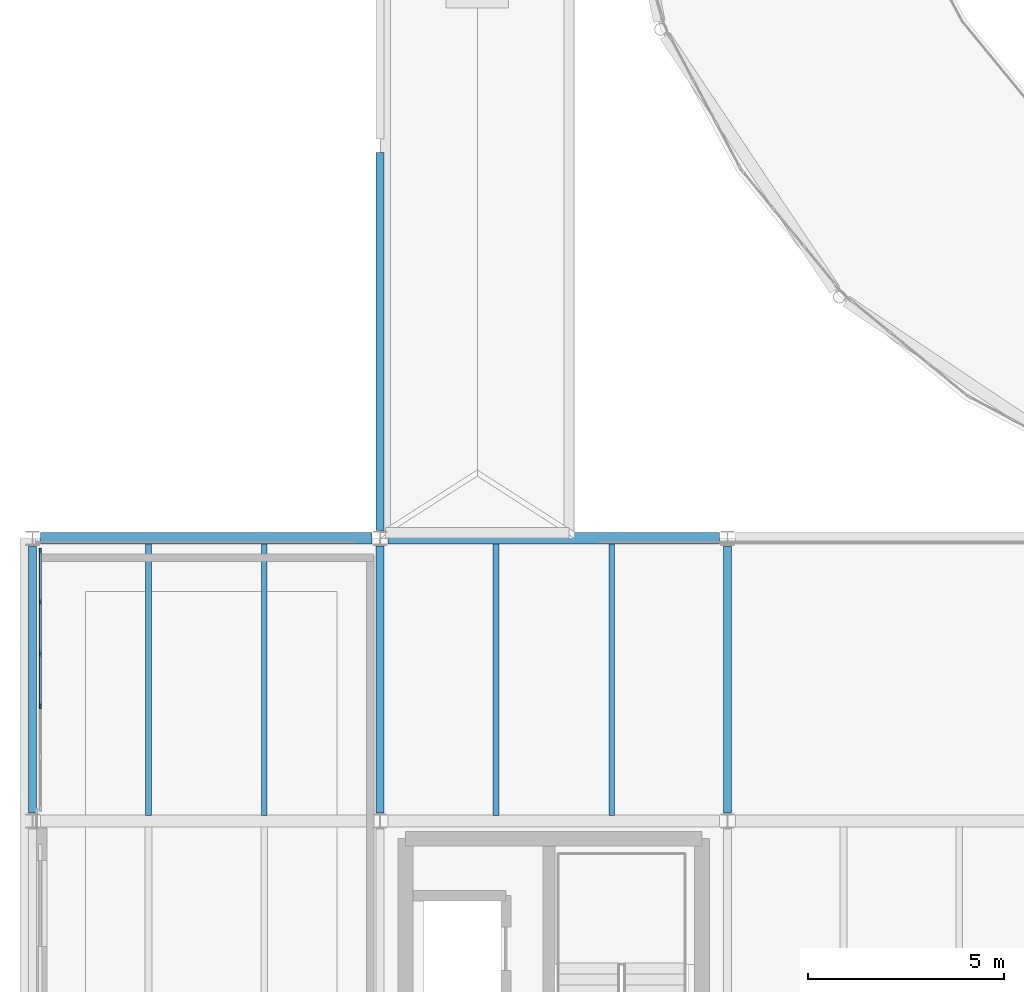
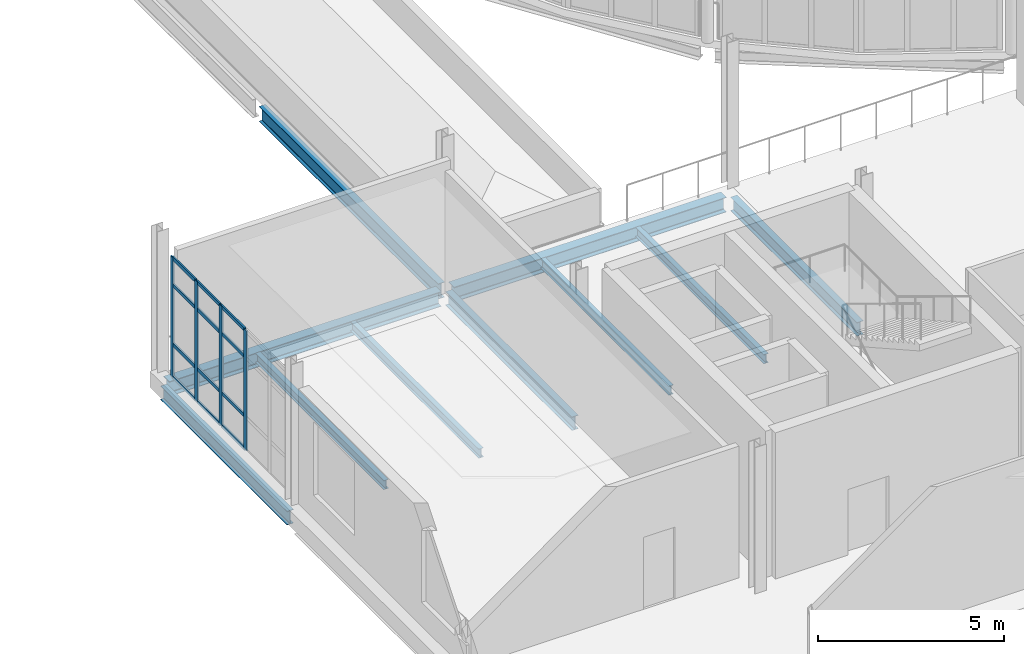
# One storey, part 24 of 112: 16 members, 10 beams, 1 element without a shape of its own.
"""IFC4 building model written with IfcOpenShell, lengths in metres."""

from ifc_helpers import new_model, si_unit, direction, frame, origin, origin_2d, place, context, subcontext, project, spatial, rectangle, i_section, extrude, material, layer, layer_set, material_profile, profile_set, type_object, element, aggregate, save


model = new_model("IFC4")

# Units and contexts
model_context = context("Model", 3, precision=1e-05, world=origin(), true_north=direction((0.0, 1.0)))
body_context = subcontext(model_context, "Body", "Model", "MODEL_VIEW")
ifc_project = project(units=[si_unit("LENGTHUNIT", "METRE"), si_unit("AREAUNIT", "SQUARE_METRE"), si_unit("VOLUMEUNIT", "CUBIC_METRE"), si_unit("PLANEANGLEUNIT", "RADIAN"), si_unit("MASSUNIT", "GRAM", prefix="KILO")], contexts=[model_context])

# Site, building, storey
site_placement = place(None, origin())
site = spatial("IfcSite", under=ifc_project, at=site_placement, CompositionType="ELEMENT")
building_placement = place(site_placement, origin())
building = spatial("IfcBuilding", under=site, at=building_placement, Name="Yeouljin Market Hall", CompositionType="ELEMENT")
storey_placement = place(building_placement, frame((0.0, 0.0, 6.0)))
storey = spatial("IfcBuildingStorey", under=building, at=storey_placement, Name="L01", CompositionType="ELEMENT", Elevation=6.0)

# Beams
ifc_material_1 = material(Name="Steel SM355", Category="steel")
ifc_material_profile_1 = material_profile(ifc_material_1, i_section(OverallWidth=0.199951171875, OverallDepth=0.449951171875, WebThickness=0.009033203125, FlangeThickness=0.013916015625, FilletRadius=0.01806640625, at=origin_2d()), Name="H-450x200x9x14")
ifc_profile_set_1 = profile_set([ifc_material_profile_1], Name="Steel SM355")
beam_type_1 = type_object("IfcBeamType", Name="Beam_H-450x200x9x14", PredefinedType="BEAM", material=ifc_profile_set_1)
for number, where, z_axis, x_axis, name in (
    (1, (0.0, 29.0, -0.489990234375), (0.0, 1.0, 0.0), (-1.0, 0.0, 0.0), "Primary beam BM-L01-Y127"),
    (2, (8.85009765625, 29.0, -0.489990234375), (0.0, 1.0, 0.0), (-1.0, 0.0, 0.0), "Primary beam BM-L01-Y131"),
    (3, (17.699951171875, 29.0, -0.489990234375), (0.0, 1.0, 0.0), (-1.0, 0.0, 0.0), "Primary beam BM-L01-Y139"),
):
    element("IfcBeam", number, at=place(storey_placement, frame(where, z_axis=z_axis, x_axis=x_axis)), inside=storey, type_object=beam_type_1, Name=name, PredefinedType="BEAM", context=body_context, shape_type="SweptSolid", body=[
        extrude(i_section(OverallWidth=0.199951171875, OverallDepth=0.449951171875, WebThickness=0.009033203125, FlangeThickness=0.013916015625, FilletRadius=0.01806640625, at=origin_2d()), origin(), (0.0, 0.0, 1.0), 6.800048828125),
    ])
ifc_material_2 = material(Name="Steel SM355", Category="steel")
ifc_material_profile_2 = material_profile(ifc_material_2, i_section(OverallWidth=0.199951171875, OverallDepth=0.5, WebThickness=0.010009765625, FlangeThickness=0.01611328125, FilletRadius=0.02001953125, at=origin_2d()), Name="H-500x200x10x16")
ifc_profile_set_2 = profile_set([ifc_material_profile_2], Name="Steel SM355")
beam_type_2 = type_object("IfcBeamType", Name="Beam_H-500x200x10x16", PredefinedType="BEAM", material=ifc_profile_set_2)
beam_placement = place(storey_placement, frame((8.85009765625, 36.199951171875, -0.514892578125), z_axis=(0.0, 1.0, 0.0), x_axis=(-1.0, 0.0, 0.0)))
element("IfcBeam", 4, at=beam_placement, inside=storey, type_object=beam_type_2, Name="Primary beam BM-L01-Y132", PredefinedType="BEAM", context=body_context, shape_type="SweptSolid", body=[
    extrude(i_section(OverallWidth=0.199951171875, OverallDepth=0.5, WebThickness=0.010009765625, FlangeThickness=0.01611328125, FilletRadius=0.02001953125, at=origin_2d()), origin(), (0.0, 0.0, 1.0), 9.625),
])

# Curtain wall, members
ifc_material_3 = material(Name="Thermally Broken Aluminium", Category="aluminium")
ifc_layer = layer(ifc_material_3, 0.14990234375)
ifc_layer_set = layer_set([ifc_layer], Name="Thermally Broken Aluminium")
curtain_wall_type = type_object("IfcCurtainWallType", Name="CW_AcademyRibbon_System", PredefinedType="USERDEFINED", material=ifc_layer_set)
curtain_wall_placement = place(storey_placement, origin())
curtain_wall = element("IfcCurtainWall", 5, at=curtain_wall_placement, inside=storey, type_object=curtain_wall_type, Name="Curtain wall CW-L01-W08", ObjectType="CURTAIN WALL", PredefinedType="USERDEFINED")
ifc_material_4 = material(Name="Thermally Broken Aluminium", Category="aluminium")
ifc_material_profile_3 = material_profile(ifc_material_4, rectangle(XDim=0.048095703125, YDim=0.14990234375, at=origin_2d()), Name="CW-MULL-48x150")
ifc_profile_set_3 = profile_set([ifc_material_profile_3], Name="Thermally Broken Aluminium")
member_type_1 = type_object("IfcMemberType", Name="CWMullion_48x150", PredefinedType="MULLION", material=ifc_profile_set_3)
member_1_placement = place(storey_placement, frame((0.199951171875, 31.739990234375, 0.0), z_axis=(0.0, 0.0, 1.0), x_axis=(-1.0, 0.0, 0.0)))
member_1 = element("IfcMember", 6, at=member_1_placement, type_object=member_type_1, Name="CW-05 mullion 3", PredefinedType="MULLION", context=body_context, shape_type="SweptSolid", body=[
    extrude(rectangle(XDim=0.048095703125, YDim=0.14990234375, at=origin_2d()), origin(), (0.0, 0.0, 1.0), 3.949951171875),
])
member_2_placement = place(storey_placement, frame((0.199951171875, 33.06005859375, 0.0), z_axis=(0.0, 0.0, 1.0), x_axis=(-1.0, 0.0, 0.0)))
member_2 = element("IfcMember", 7, at=member_2_placement, type_object=member_type_1, Name="CW-05 mullion 4", PredefinedType="MULLION", context=body_context, shape_type="SweptSolid", body=[
    extrude(rectangle(XDim=0.048095703125, YDim=0.14990234375, at=origin_2d()), origin(), (0.0, 0.0, 1.0), 3.949951171875),
])
member_3_placement = place(storey_placement, frame((0.199951171875, 34.3798828125, 0.0), z_axis=(0.0, 0.0, 1.0), x_axis=(-1.0, 0.0, 0.0)))
member_3 = element("IfcMember", 8, at=member_3_placement, type_object=member_type_1, Name="CW-05 mullion 5", PredefinedType="MULLION", context=body_context, shape_type="SweptSolid", body=[
    extrude(rectangle(XDim=0.048095703125, YDim=0.14990234375, at=origin_2d()), origin(), (0.0, 0.0, 1.0), 3.949951171875),
])
member_4_placement = place(storey_placement, frame((0.199951171875, 35.676025390625, 0.0), z_axis=(0.0, 0.0, 1.0), x_axis=(-1.0, 0.0, 0.0)))
member_4 = element("IfcMember", 9, at=member_4_placement, type_object=member_type_1, Name="CW-05 mullion 6", PredefinedType="MULLION", context=body_context, shape_type="SweptSolid", body=[
    extrude(rectangle(XDim=0.048095703125, YDim=0.14990234375, at=origin_2d()), origin(), (0.0, 0.0, 1.0), 3.949951171875),
])
ifc_material_5 = material(Name="Thermally Broken Aluminium", Category="aluminium")
ifc_material_profile_4 = material_profile(ifc_material_5, rectangle(XDim=0.048095703125, YDim=0.1201171875, at=origin_2d()), Name="CW-TRAN-48x120")
ifc_profile_set_4 = profile_set([ifc_material_profile_4], Name="Thermally Broken Aluminium")
member_type_2 = type_object("IfcMemberType", Name="CWTransom_48x120", PredefinedType="USERDEFINED", material=ifc_profile_set_4)
member_5_placement = place(storey_placement, frame((0.199951171875, 31.763916015625, 0.02392578125), z_axis=(0.0, 1.0, 0.0), x_axis=(-1.0, 0.0, 0.0)))
member_5 = element("IfcMember", 10, at=member_5_placement, type_object=member_type_2, Name="CW-05 transom 3.1", ObjectType="TRANSOM", PredefinedType="USERDEFINED", context=body_context, shape_type="SweptSolid", body=[
    extrude(rectangle(XDim=0.048095703125, YDim=0.1201171875, at=origin_2d()), origin(), (0.0, 0.0, 1.0), 1.27197265625),
])
member_6_placement = place(storey_placement, frame((0.199951171875, 31.763916015625, 1.10009765625), z_axis=(0.0, 1.0, 0.0), x_axis=(-1.0, 0.0, 0.0)))
member_6 = element("IfcMember", 11, at=member_6_placement, type_object=member_type_2, Name="CW-05 transom 3.2", ObjectType="TRANSOM", PredefinedType="USERDEFINED", context=body_context, shape_type="SweptSolid", body=[
    extrude(rectangle(XDim=0.048095703125, YDim=0.1201171875, at=origin_2d()), origin(), (0.0, 0.0, 1.0), 1.27197265625),
])
member_7_placement = place(storey_placement, frame((0.199951171875, 31.763916015625, 3.050048828125), z_axis=(0.0, 1.0, 0.0), x_axis=(-1.0, 0.0, 0.0)))
member_7 = element("IfcMember", 12, at=member_7_placement, type_object=member_type_2, Name="CW-05 transom 3.3", ObjectType="TRANSOM", PredefinedType="USERDEFINED", context=body_context, shape_type="SweptSolid", body=[
    extrude(rectangle(XDim=0.048095703125, YDim=0.1201171875, at=origin_2d()), origin(), (0.0, 0.0, 1.0), 1.27197265625),
])
member_8_placement = place(storey_placement, frame((0.199951171875, 31.763916015625, 3.926025390625), z_axis=(0.0, 1.0, 0.0), x_axis=(-1.0, 0.0, 0.0)))
member_8 = element("IfcMember", 13, at=member_8_placement, type_object=member_type_2, Name="CW-05 transom 3.4", ObjectType="TRANSOM", PredefinedType="USERDEFINED", context=body_context, shape_type="SweptSolid", body=[
    extrude(rectangle(XDim=0.048095703125, YDim=0.1201171875, at=origin_2d()), origin(), (0.0, 0.0, 1.0), 1.27197265625),
])
member_9_placement = place(storey_placement, frame((0.199951171875, 33.083984375, 0.02392578125), z_axis=(0.0, 1.0, 0.0), x_axis=(-1.0, 0.0, 0.0)))
member_9 = element("IfcMember", 14, at=member_9_placement, type_object=member_type_2, Name="CW-05 transom 4.1", ObjectType="TRANSOM", PredefinedType="USERDEFINED", context=body_context, shape_type="SweptSolid", body=[
    extrude(rectangle(XDim=0.048095703125, YDim=0.1201171875, at=origin_2d()), origin(), (0.0, 0.0, 1.0), 1.27197265625),
])
member_10_placement = place(storey_placement, frame((0.199951171875, 33.083984375, 1.10009765625), z_axis=(0.0, 1.0, 0.0), x_axis=(-1.0, 0.0, 0.0)))
member_10 = element("IfcMember", 15, at=member_10_placement, type_object=member_type_2, Name="CW-05 transom 4.2", ObjectType="TRANSOM", PredefinedType="USERDEFINED", context=body_context, shape_type="SweptSolid", body=[
    extrude(rectangle(XDim=0.048095703125, YDim=0.1201171875, at=origin_2d()), origin(), (0.0, 0.0, 1.0), 1.27197265625),
])
member_11_placement = place(storey_placement, frame((0.199951171875, 33.083984375, 3.050048828125), z_axis=(0.0, 1.0, 0.0), x_axis=(-1.0, 0.0, 0.0)))
member_11 = element("IfcMember", 16, at=member_11_placement, type_object=member_type_2, Name="CW-05 transom 4.3", ObjectType="TRANSOM", PredefinedType="USERDEFINED", context=body_context, shape_type="SweptSolid", body=[
    extrude(rectangle(XDim=0.048095703125, YDim=0.1201171875, at=origin_2d()), origin(), (0.0, 0.0, 1.0), 1.27197265625),
])
member_12_placement = place(storey_placement, frame((0.199951171875, 33.083984375, 3.926025390625), z_axis=(0.0, 1.0, 0.0), x_axis=(-1.0, 0.0, 0.0)))
member_12 = element("IfcMember", 17, at=member_12_placement, type_object=member_type_2, Name="CW-05 transom 4.4", ObjectType="TRANSOM", PredefinedType="USERDEFINED", context=body_context, shape_type="SweptSolid", body=[
    extrude(rectangle(XDim=0.048095703125, YDim=0.1201171875, at=origin_2d()), origin(), (0.0, 0.0, 1.0), 1.27197265625),
])
member_13_placement = place(storey_placement, frame((0.199951171875, 34.404052734375, 0.02392578125), z_axis=(0.0, 1.0, 0.0), x_axis=(-1.0, 0.0, 0.0)))
member_13 = element("IfcMember", 18, at=member_13_placement, type_object=member_type_2, Name="CW-05 transom 5.1", ObjectType="TRANSOM", PredefinedType="USERDEFINED", context=body_context, shape_type="SweptSolid", body=[
    extrude(rectangle(XDim=0.048095703125, YDim=0.1201171875, at=origin_2d()), origin(), (0.0, 0.0, 1.0), 1.248046875),
])
member_14_placement = place(storey_placement, frame((0.199951171875, 34.404052734375, 1.10009765625), z_axis=(0.0, 1.0, 0.0), x_axis=(-1.0, 0.0, 0.0)))
member_14 = element("IfcMember", 19, at=member_14_placement, type_object=member_type_2, Name="CW-05 transom 5.2", ObjectType="TRANSOM", PredefinedType="USERDEFINED", context=body_context, shape_type="SweptSolid", body=[
    extrude(rectangle(XDim=0.048095703125, YDim=0.1201171875, at=origin_2d()), origin(), (0.0, 0.0, 1.0), 1.248046875),
])
member_15_placement = place(storey_placement, frame((0.199951171875, 34.404052734375, 3.050048828125), z_axis=(0.0, 1.0, 0.0), x_axis=(-1.0, 0.0, 0.0)))
member_15 = element("IfcMember", 20, at=member_15_placement, type_object=member_type_2, Name="CW-05 transom 5.3", ObjectType="TRANSOM", PredefinedType="USERDEFINED", context=body_context, shape_type="SweptSolid", body=[
    extrude(rectangle(XDim=0.048095703125, YDim=0.1201171875, at=origin_2d()), origin(), (0.0, 0.0, 1.0), 1.248046875),
])
member_16_placement = place(storey_placement, frame((0.199951171875, 34.404052734375, 3.926025390625), z_axis=(0.0, 1.0, 0.0), x_axis=(-1.0, 0.0, 0.0)))
member_16 = element("IfcMember", 21, at=member_16_placement, type_object=member_type_2, Name="CW-05 transom 5.4", ObjectType="TRANSOM", PredefinedType="USERDEFINED", context=body_context, shape_type="SweptSolid", body=[
    extrude(rectangle(XDim=0.048095703125, YDim=0.1201171875, at=origin_2d()), origin(), (0.0, 0.0, 1.0), 1.248046875),
])
aggregate(curtain_wall, [member_1, member_2, member_3, member_4, member_5, member_6, member_7, member_8, member_9, member_10, member_11, member_12, member_13, member_14, member_15, member_16])

# Beams
ifc_material_6 = material(Name="Steel SM355", Category="steel")
ifc_material_profile_5 = material_profile(ifc_material_6, i_section(OverallWidth=0.300048828125, OverallDepth=0.488037109375, WebThickness=0.010986328125, FlangeThickness=0.01806640625, FilletRadius=0.02197265625, at=origin_2d()), Name="H-488x300x11x18")
ifc_profile_set_5 = profile_set([ifc_material_profile_5], Name="Steel SM355")
beam_type_3 = type_object("IfcBeamType", Name="Girder_H-488x300x11x18", PredefinedType="USERDEFINED", material=ifc_profile_set_5)
for number, where, z_axis, x_axis, name in (
    (22, (0.199951171875, 36.0, -0.509033203125), (1.0, 0.0, 0.0), (0.0, 1.0, 0.0), "Primary girder GRD-L01-X045"),
    (23, (9.050048828125, 36.0, -0.509033203125), (1.0, 0.0, 0.0), (0.0, 1.0, 0.0), "Primary girder GRD-L01-X046"),
):
    element("IfcBeam", number, at=place(storey_placement, frame(where, z_axis=z_axis, x_axis=x_axis)), inside=storey, type_object=beam_type_3, Name=name, ObjectType="GIRDER", PredefinedType="USERDEFINED", context=body_context, shape_type="SweptSolid", body=[
        extrude(i_section(OverallWidth=0.300048828125, OverallDepth=0.488037109375, WebThickness=0.010986328125, FlangeThickness=0.01806640625, FilletRadius=0.02197265625, at=origin_2d()), origin(), (0.0, 0.0, 1.0), 8.449951171875),
    ])
ifc_material_7 = material(Name="Steel SM355", Category="steel")
ifc_material_profile_6 = material_profile(ifc_material_7, i_section(OverallWidth=0.14990234375, OverallDepth=0.300048828125, WebThickness=0.006591796875, FlangeThickness=0.009033203125, FilletRadius=0.012939453125, at=origin_2d()), Name="H-300x150x6.5x9")
ifc_profile_set_6 = profile_set([ifc_material_profile_6], Name="Steel SM355")
beam_type_4 = type_object("IfcBeamType", Name="Joist_H-300x150x6.5x9", PredefinedType="JOIST", material=ifc_profile_set_6)
for number, where, z_axis, x_axis, name in (
    (24, (2.949951171875, 28.947021484375, -0.4150390625), (0.0, 1.0, 0.0), (-1.0, 0.0, 0.0), "Secondary floor joist L01-006"),
    (25, (5.89990234375, 28.947021484375, -0.4150390625), (0.0, 1.0, 0.0), (-1.0, 0.0, 0.0), "Secondary floor joist L01-007"),
    (26, (11.800048828125, 28.947021484375, -0.4150390625), (0.0, 1.0, 0.0), (-1.0, 0.0, 0.0), "Secondary floor joist L01-012"),
    (27, (14.75, 28.947021484375, -0.4150390625), (0.0, 1.0, 0.0), (-1.0, 0.0, 0.0), "Secondary floor joist L01-013"),
):
    element("IfcBeam", number, at=place(storey_placement, frame(where, z_axis=z_axis, x_axis=x_axis)), inside=storey, type_object=beam_type_4, Name=name, PredefinedType="JOIST", context=body_context, shape_type="SweptSolid", body=[
        extrude(i_section(OverallWidth=0.14990234375, OverallDepth=0.300048828125, WebThickness=0.006591796875, FlangeThickness=0.009033203125, FilletRadius=0.012939453125, at=origin_2d()), origin(), (0.0, 0.0, 1.0), 6.906005859375),
    ])

save(model, "model.ifc")
